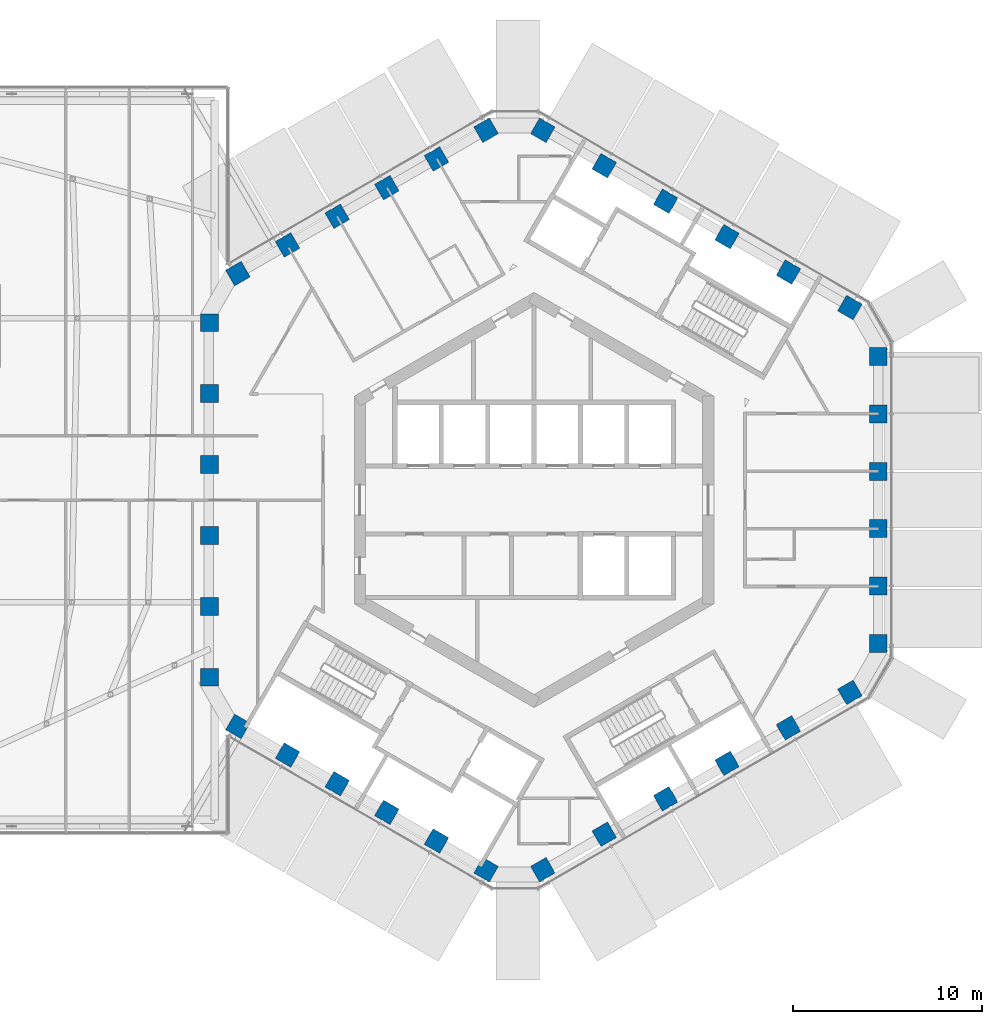
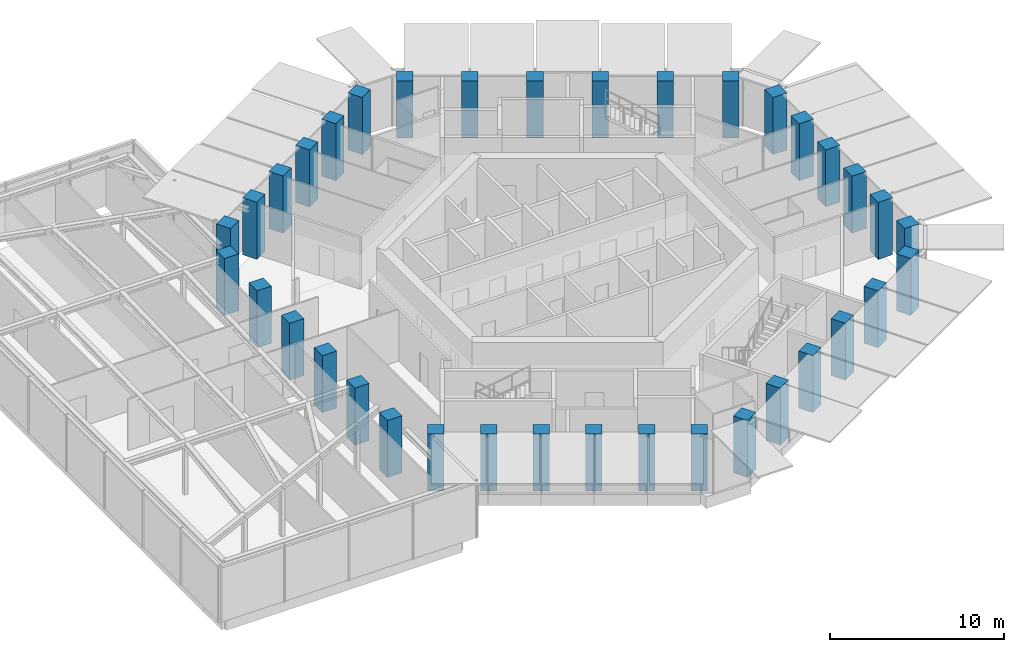
# One storey, part 1 of 24: 36 columns.
"""IFC4 building model written with IfcOpenShell, lengths in metres."""

from ifc_helpers import new_model, si_unit, direction, frame, origin, origin_2d, place, context, subcontext, project, spatial, rectangle, extrude, material, material_profile, profile_set, type_object, element, save


model = new_model("IFC4")

# Units and contexts
model_context = context("Model", 3, precision=1e-05, world=origin(), true_north=direction((0.0, 1.0)))
body_context = subcontext(model_context, "Body", "Model", "MODEL_VIEW")
ifc_project = project(units=[si_unit("LENGTHUNIT", "METRE"), si_unit("AREAUNIT", "SQUARE_METRE"), si_unit("VOLUMEUNIT", "CUBIC_METRE"), si_unit("PLANEANGLEUNIT", "RADIAN"), si_unit("MASSUNIT", "GRAM", prefix="KILO")], contexts=[model_context])

# Site, building, storey
site_placement = place(None, origin())
site = spatial("IfcSite", under=ifc_project, at=site_placement, CompositionType="ELEMENT")
building_placement = place(site_placement, origin())
building = spatial("IfcBuilding", under=site, at=building_placement, Name="Ayvan Gate Tower", CompositionType="ELEMENT")
storey_placement = place(building_placement, frame((0.0, 0.0, 210.10009765625)))
storey = spatial("IfcBuildingStorey", under=building, at=storey_placement, Name="L56", CompositionType="ELEMENT", Elevation=210.10009765625)

# Columns
ifc_material = material(Name="Concrete C55/67", Category="concrete")
ifc_material_profile = material_profile(ifc_material, rectangle(XDim=0.949951171875, YDim=0.949951171875, at=origin_2d()), Name="RC 950x950")
ifc_profile_set = profile_set([ifc_material_profile], Name="Concrete C55/67")
column_type = type_object("IfcColumnType", Name="Tube column RC 950x950 C55/67", PredefinedType="COLUMN", material=ifc_profile_set)
for number, where, z_axis, x_axis, name in (
    (1, (18.1865234375, -7.57080078125, 0.0), (0.0, 0.0, 1.0), (1.0, 0.0, 0.0), "C-T0-0-L56"),
    (2, (18.1865234375, -4.54248046875, 0.0), (0.0, 0.0, 1.0), (1.0, 0.0, 0.0), "C-T0-1-L56"),
    (3, (18.1865234375, -1.51416015625, 0.0), (0.0, 0.0, 1.0), (1.0, 0.0, 0.0), "C-T0-2-L56"),
    (4, (18.1865234375, 1.51416015625, 0.0), (0.0, 0.0, 1.0), (1.0, 0.0, 0.0), "C-T0-3-L56"),
    (5, (18.1865234375, 4.54248046875, 0.0), (0.0, 0.0, 1.0), (1.0, 0.0, 0.0), "C-T0-4-L56"),
    (6, (18.1865234375, 7.57080078125, 0.0), (0.0, 0.0, 1.0), (1.0, 0.0, 0.0), "C-T0-5-L56"),
    (7, (16.6865234375, 10.168701171875, 0.0), (0.0, 0.0, 1.0), (0.5, 0.866025403784, 0.0), "C-T1-0-L56"),
    (8, (13.44189453125, 12.0419921875, 0.0), (0.0, 0.0, 1.0), (0.5, 0.866025403784, 0.0), "C-T1-1-L56"),
    (9, (10.197265625, 13.91552734375, 0.0), (0.0, 0.0, 1.0), (0.5, 0.866025403784, 0.0), "C-T1-2-L56"),
    (10, (6.95263671875, 15.788818359375, 0.0), (0.0, 0.0, 1.0), (0.5, 0.866025403784, 0.0), "C-T1-3-L56"),
    (11, (3.707763671875, 17.662109375, 0.0), (0.0, 0.0, 1.0), (0.5, 0.866025403784, 0.0), "C-T1-4-L56"),
    (12, (0.463134765625, 19.535400390625, 0.0), (0.0, 0.0, 1.0), (0.5, 0.866025403784, 0.0), "C-T1-5-L56"),
    (13, (-2.536865234375, 19.535400390625, 0.0), (0.0, 0.0, 1.0), (-0.5, 0.866025403784, 0.0), "C-T2-0-L56"),
    (14, (-5.159423828125, 18.021240234375, 0.0), (0.0, 0.0, 1.0), (-0.5, 0.866025403784, 0.0), "C-T2-1-L56"),
    (15, (-7.781982421875, 16.507080078125, 0.0), (0.0, 0.0, 1.0), (-0.5, 0.866025403784, 0.0), "C-T2-2-L56"),
    (16, (-10.404541015625, 14.992919921875, 0.0), (0.0, 0.0, 1.0), (-0.5, 0.866025403784, 0.0), "C-T2-3-L56"),
    (17, (-13.027099609375, 13.478759765625, 0.0), (0.0, 0.0, 1.0), (-0.5, 0.866025403784, 0.0), "C-T2-4-L56"),
    (18, (-15.649658203125, 11.964599609375, 0.0), (0.0, 0.0, 1.0), (-0.5, 0.866025403784, 0.0), "C-T2-5-L56"),
    (19, (-17.149658203125, 9.366455078125, 0.0), (0.0, 0.0, 1.0), (-1.0, 0.0, 0.0), "C-T3-0-L56"),
    (20, (-17.149658203125, 5.619873046875, 0.0), (0.0, 0.0, 1.0), (-1.0, 0.0, 0.0), "C-T3-1-L56"),
    (21, (-17.149658203125, 1.873291015625, 0.0), (0.0, 0.0, 1.0), (-1.0, 0.0, 0.0), "C-T3-2-L56"),
    (22, (-17.149658203125, -1.873291015625, 0.0), (0.0, 0.0, 1.0), (-1.0, 0.0, 0.0), "C-T3-3-L56"),
    (23, (-17.149658203125, -5.619873046875, 0.0), (0.0, 0.0, 1.0), (-1.0, 0.0, 0.0), "C-T3-4-L56"),
    (24, (-17.149658203125, -9.366455078125, 0.0), (0.0, 0.0, 1.0), (-1.0, 0.0, 0.0), "C-T3-5-L56"),
    (25, (-15.649658203125, -11.964599609375, 0.0), (0.0, 0.0, 1.0), (-0.5, -0.866025403784, 0.0), "C-T4-0-L56"),
    (26, (-13.027099609375, -13.478759765625, 0.0), (0.0, 0.0, 1.0), (-0.5, -0.866025403784, 0.0), "C-T4-1-L56"),
    (27, (-10.404541015625, -14.992919921875, 0.0), (0.0, 0.0, 1.0), (-0.5, -0.866025403784, 0.0), "C-T4-2-L56"),
    (28, (-7.781982421875, -16.507080078125, 0.0), (0.0, 0.0, 1.0), (-0.5, -0.866025403784, 0.0), "C-T4-3-L56"),
    (29, (-5.159423828125, -18.021240234375, 0.0), (0.0, 0.0, 1.0), (-0.5, -0.866025403784, 0.0), "C-T4-4-L56"),
    (30, (-2.536865234375, -19.535400390625, 0.0), (0.0, 0.0, 1.0), (-0.5, -0.866025403784, 0.0), "C-T4-5-L56"),
    (31, (0.463134765625, -19.535400390625, 0.0), (0.0, 0.0, 1.0), (0.5, -0.866025403784, 0.0), "C-T5-0-L56"),
    (32, (3.707763671875, -17.662109375, 0.0), (0.0, 0.0, 1.0), (0.5, -0.866025403784, 0.0), "C-T5-1-L56"),
    (33, (6.95263671875, -15.788818359375, 0.0), (0.0, 0.0, 1.0), (0.5, -0.866025403784, 0.0), "C-T5-2-L56"),
    (34, (10.197265625, -13.91552734375, 0.0), (0.0, 0.0, 1.0), (0.5, -0.866025403784, 0.0), "C-T5-3-L56"),
    (35, (13.44189453125, -12.0419921875, 0.0), (0.0, 0.0, 1.0), (0.5, -0.866025403784, 0.0), "C-T5-4-L56"),
    (36, (16.6865234375, -10.168701171875, 0.0), (0.0, 0.0, 1.0), (0.5, -0.866025403784, 0.0), "C-T5-5-L56"),
):
    element("IfcColumn", number, at=place(storey_placement, frame(where, z_axis=z_axis, x_axis=x_axis)), inside=storey, type_object=column_type, Name=name, PredefinedType="COLUMN", context=body_context, shape_type="SweptSolid", body=[
        extrude(rectangle(XDim=0.949951171875, YDim=0.949951171875, at=origin_2d()), origin(), (0.0, 0.0, 1.0), 4.0),
    ])

save(model, "model.ifc")
